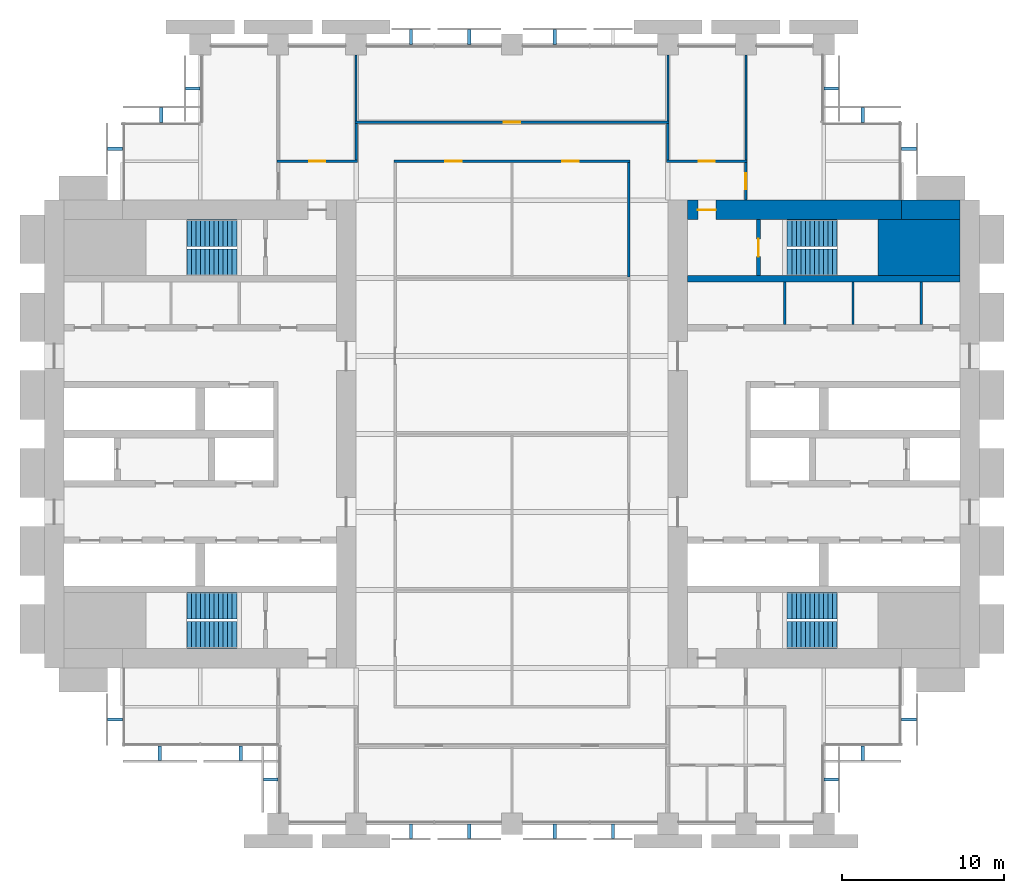
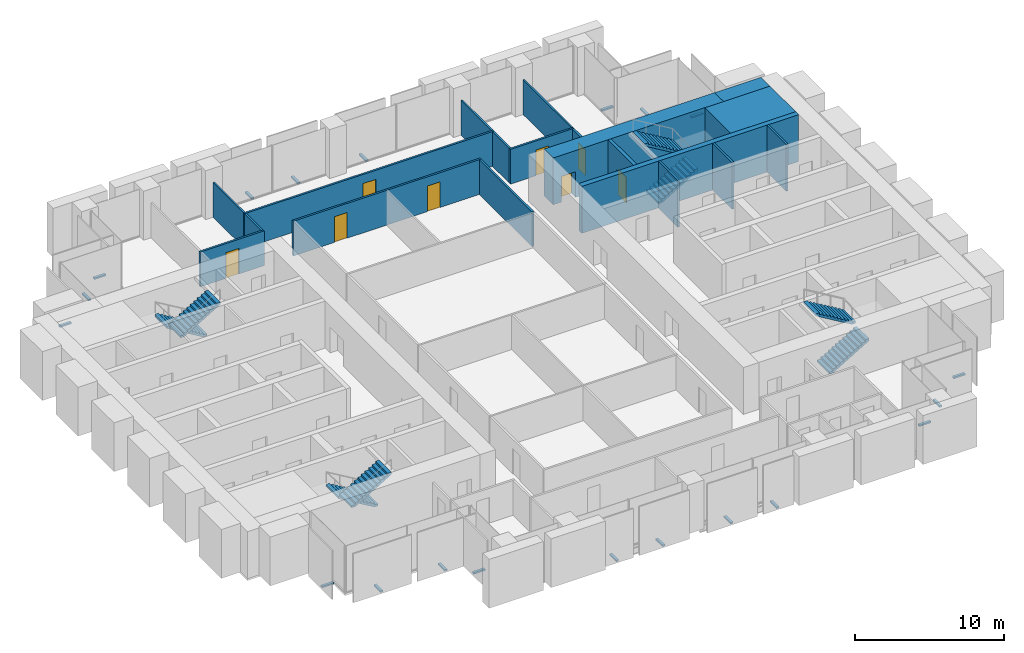
# One storey, part 12 of 14: 20 discrete accessories, 19 walls, 8 doors, 8 stair flights, 8 openings, 4 elements without a shape of their own.
"""IFC4 building model written with IfcOpenShell, lengths in metres."""

from ifc_helpers import new_model, si_unit, direction, frame, frame_2d, origin, origin_2d, place, context, subcontext, project, spatial, polyline, rectangle, outline, extrude, material, layer, layer_set, type_object, element, fill, aggregate, save


model = new_model("IFC4")

# Units and contexts
model_context = context("Model", 3, precision=1e-05, world=origin(), true_north=direction((0.0, 1.0)))
body_context = subcontext(model_context, "Body", "Model", "MODEL_VIEW")
ifc_project = project(units=[si_unit("LENGTHUNIT", "METRE"), si_unit("AREAUNIT", "SQUARE_METRE"), si_unit("VOLUMEUNIT", "CUBIC_METRE"), si_unit("PLANEANGLEUNIT", "RADIAN"), si_unit("MASSUNIT", "GRAM", prefix="KILO")], contexts=[model_context])

# Site, building, storey
site_placement = place(None, origin())
site = spatial("IfcSite", under=ifc_project, at=site_placement, CompositionType="ELEMENT")
building_placement = place(site_placement, origin())
building = spatial("IfcBuilding", under=site, at=building_placement, Name="Baori Bourse Tower", CompositionType="ELEMENT")
storey_placement = place(building_placement, frame((0.0, 0.0, 43.0)))
storey = spatial("IfcBuildingStorey", under=building, at=storey_placement, Name="L08", CompositionType="ELEMENT", Elevation=43.0)

# Walls
ifc_material_1 = material(Name="Concrete f'c 70 MPa", Category="concrete")
wall_type_1 = type_object("IfcWallType", Name="Core corner block f'c 70", PredefinedType="SHEAR", material=ifc_material_1)
wall_1_placement = place(storey_placement, frame((51.35009765625, 35.47509765625, 0.0), z_axis=(0.0, 0.0, 1.0), x_axis=(1.0, 0.0, 0.0)))
element("IfcWall", 1, at=wall_1_placement, inside=storey, type_object=wall_type_1, Name="Core wall E22", PredefinedType="SHEAR", context=body_context, shape_type="SweptSolid", body=[
    extrude(rectangle(XDim=5.0498046875, YDim=3.449951171875, at=frame_2d((2.52490234375, 0.0))), origin(), (0.0, 0.0, 1.0), 3.840087890625),
])
ifc_material_2 = material(Name="Blockwork partition", Category="masonry")
ifc_layer_1 = layer(ifc_material_2, 0.14990234375)
ifc_layer_set_1 = layer_set([ifc_layer_1], Name="Core partition 150")
wall_type_2 = type_object("IfcWallType", Name="Core partition 150", PredefinedType="PARTITIONING", material=ifc_layer_set_1)
for number, where, z_axis, x_axis, name in (
    (2, (54.0, 30.75, 0.0), (0.0, 0.0, 1.0), (0.0, 1.0, 0.0), "Partition wall E18"),
    (3, (49.800048828125, 30.75, 0.0), (0.0, 0.0, 1.0), (0.0, 1.0, 0.0), "Partition wall E19"),
    (4, (45.60009765625, 30.75, 0.0), (0.0, 0.0, 1.0), (0.0, 1.0, 0.0), "Partition wall E20"),
):
    element("IfcWall", number, at=place(storey_placement, frame(where, z_axis=z_axis, x_axis=x_axis)), inside=storey, type_object=wall_type_2, Name=name, PredefinedType="PARTITIONING", context=body_context, shape_type="SweptSolid", body=[
        extrude(rectangle(XDim=2.60009765625, YDim=0.14990234375, at=frame_2d((1.300048828125, 0.0))), origin(), (0.0, 0.0, 1.0), 3.840087890625),
    ])
ifc_material_3 = material(Name="Concrete f'c 70 MPa", Category="concrete")
ifc_layer_2 = layer(ifc_material_3, 1.199951171875)
ifc_layer_set_2 = layer_set([ifc_layer_2], Name="Core wall 1200 f'c 70")
wall_type_3 = type_object("IfcWallType", Name="Core wall 1200 f'c 70", PredefinedType="SHEAR", material=ifc_layer_set_2)
wall_2_placement = place(storey_placement, frame((52.800048828125, 37.800048828125, 0.0), z_axis=(0.0, 0.0, 1.0), x_axis=(1.0, 0.0, 0.0)))
element("IfcWall", 5, at=wall_2_placement, inside=storey, type_object=wall_type_3, Name="Core wall E24", PredefinedType="SHEAR", context=body_context, shape_type="SweptSolid", body=[
    extrude(rectangle(XDim=3.599853515625, YDim=1.199951171875, at=frame_2d((1.7998046875, 0.0))), origin(), (0.0, 0.0, 1.0), 3.840087890625),
])

# Wall, opening, door
wall_3_placement = place(storey_placement, frame((39.60009765625, 37.800048828125, 0.0), z_axis=(0.0, 0.0, 1.0), x_axis=(1.0, 0.0, 0.0)))
wall_3 = element("IfcWall", 6, at=wall_3_placement, inside=storey, type_object=wall_type_3, Name="Core wall E25", PredefinedType="SHEAR", context=body_context, shape_type="SweptSolid", body=[
    extrude(rectangle(XDim=13.199951171875, YDim=1.199951171875, at=frame_2d((6.60009765625, 0.0))), origin(), (0.0, 0.0, 1.0), 3.840087890625),
])
opening_1_placement = place(wall_3_placement, frame((0.64990234375, 0.0, 0.0)))
opening_1 = element("IfcOpeningElement", 7, at=opening_1_placement, cuts=wall_3, Name="Opening L08-D204", PredefinedType="OPENING", context=body_context, shape_type="SweptSolid", body=[
    extrude(rectangle(XDim=1.10009765625, YDim=2.10009765625, at=frame_2d((0.550048828125, 1.050048828125))), frame((0.0, 0.60986328125, 0.0), z_axis=(0.0, -1.0, 0.0), x_axis=(1.0, 0.0, 0.0)), (0.0, 0.0, 1.0), 1.219970703125),
])
ifc_material_4 = material(Name="Painted steel door", Category="steel")
door_type_1 = type_object("IfcDoorType", Name="Stair door 1100", OperationType="SINGLE_SWING_LEFT", PredefinedType="DOOR", material=ifc_material_4)
door_1_placement = place(opening_1_placement, origin())
door_1 = element("IfcDoor", 8, at=door_1_placement, inside=storey, type_object=door_type_1, Name="Stair vestibule door B E L08", OperationType="SINGLE_SWING_LEFT", OverallHeight=2.10009765625, OverallWidth=1.10009765625, PredefinedType="DOOR", context=body_context, shape_type="SweptSolid", body=[
    extrude(rectangle(XDim=1.10009765625, YDim=2.10009765625, at=frame_2d((0.550048828125, 1.050048828125))), frame((0.0, 0.02490234375, 0.0), z_axis=(0.0, -1.0, 0.0), x_axis=(1.0, 0.0, 0.0)), (0.0, 0.0, 1.0), 0.050048828125),
])
fill(opening_1, door_1)

ifc_material_5 = material(Name="Gypsum board partition")
ifc_layer_3 = layer(ifc_material_5, 0.14990234375)
ifc_layer_set_3 = layer_set([ifc_layer_3], Name="Corridor partition 150")
wall_type_4 = type_object("IfcWallType", Name="Corridor partition 150", PredefinedType="PARTITIONING", material=ifc_layer_set_3)
wall_4_placement = place(storey_placement, frame((14.324951171875, 40.800048828125, 0.0), z_axis=(0.0, 0.0, 1.0), x_axis=(1.0, 0.0, 0.0)))
wall_4 = element("IfcWall", 9, at=wall_4_placement, inside=storey, type_object=wall_type_4, Name="Partition", PredefinedType="PARTITIONING", context=body_context, shape_type="SweptSolid", body=[
    extrude(rectangle(XDim=4.949951171875, YDim=0.14990234375, at=frame_2d((2.47509765625, 0.0))), origin(), (0.0, 0.0, 1.0), 2.849365234375),
])
opening_2_placement = place(wall_4_placement, frame((1.97509765625, 0.0, 0.0)))
opening_2 = element("IfcOpeningElement", 10, at=opening_2_placement, cuts=wall_4, Name="Opening L08-D08", PredefinedType="OPENING", context=body_context, shape_type="SweptSolid", body=[
    extrude(rectangle(XDim=1.0, YDim=2.10009765625, at=frame_2d((0.5, 1.050048828125))), frame((0.0, 0.0849609375, 0.0), z_axis=(0.0, -1.0, 0.0), x_axis=(1.0, 0.0, 0.0)), (0.0, 0.0, 1.0), 0.169921875),
])
ifc_material_6 = material(Name="Timber door leaf", Category="wood")
door_type_2 = type_object("IfcDoorType", Name="Door 1000 x 2100", OperationType="SINGLE_SWING_LEFT", PredefinedType="DOOR", material=ifc_material_6)
door_2_placement = place(opening_2_placement, origin())
door_2 = element("IfcDoor", 11, at=door_2_placement, inside=storey, type_object=door_type_2, Name="Door", OperationType="SINGLE_SWING_LEFT", OverallHeight=2.10009765625, OverallWidth=1.0, PredefinedType="DOOR", context=body_context, shape_type="SweptSolid", body=[
    extrude(rectangle(XDim=1.0, YDim=2.10009765625, at=frame_2d((0.5, 1.050048828125))), frame((0.0, 0.02490234375, 0.0), z_axis=(0.0, -1.0, 0.0), x_axis=(1.0, 0.0, 0.0)), (0.0, 0.0, 1.0), 0.050048828125),
])
fill(opening_2, door_2)

# Wall, openings, doors
wall_5_placement = place(storey_placement, frame((21.52490234375, 40.800048828125, 0.0), z_axis=(0.0, 0.0, 1.0), x_axis=(1.0, 0.0, 0.0)))
wall_5 = element("IfcWall", 12, at=wall_5_placement, inside=storey, type_object=wall_type_4, Name="Partition", PredefinedType="PARTITIONING", context=body_context, shape_type="SweptSolid", body=[
    extrude(rectangle(XDim=14.550048828125, YDim=0.14990234375, at=frame_2d((7.27490234375, 0.0))), origin(), (0.0, 0.0, 1.0), 2.849365234375),
])
opening_3_placement = place(wall_5_placement, frame((3.175048828125, 0.0, 0.0)))
opening_3 = element("IfcOpeningElement", 13, at=opening_3_placement, cuts=wall_5, Name="Opening L08-D09", PredefinedType="OPENING", context=body_context, shape_type="SweptSolid", body=[
    extrude(rectangle(XDim=1.0, YDim=2.10009765625, at=frame_2d((0.5, 1.050048828125))), frame((0.0, 0.0849609375, 0.0), z_axis=(0.0, -1.0, 0.0), x_axis=(1.0, 0.0, 0.0)), (0.0, 0.0, 1.0), 0.169921875),
])
opening_4_placement = place(wall_5_placement, frame((10.375, 0.0, 0.0)))
opening_4 = element("IfcOpeningElement", 14, at=opening_4_placement, cuts=wall_5, Name="Opening L08-D10", PredefinedType="OPENING", context=body_context, shape_type="SweptSolid", body=[
    extrude(rectangle(XDim=1.0, YDim=2.10009765625, at=frame_2d((0.5, 1.050048828125))), frame((0.0, 0.0849609375, 0.0), z_axis=(0.0, -1.0, 0.0), x_axis=(1.0, 0.0, 0.0)), (0.0, 0.0, 1.0), 0.169921875),
])
door_3_placement = place(opening_3_placement, origin())
door_3 = element("IfcDoor", 15, at=door_3_placement, inside=storey, type_object=door_type_2, Name="Door", OperationType="SINGLE_SWING_LEFT", OverallHeight=2.10009765625, OverallWidth=1.0, PredefinedType="DOOR", context=body_context, shape_type="SweptSolid", body=[
    extrude(rectangle(XDim=1.0, YDim=2.10009765625, at=frame_2d((0.5, 1.050048828125))), frame((0.0, 0.02490234375, 0.0), z_axis=(0.0, -1.0, 0.0), x_axis=(1.0, 0.0, 0.0)), (0.0, 0.0, 1.0), 0.050048828125),
])
fill(opening_3, door_3)
door_4_placement = place(opening_4_placement, origin())
door_4 = element("IfcDoor", 16, at=door_4_placement, inside=storey, type_object=door_type_2, Name="Door", OperationType="SINGLE_SWING_RIGHT", OverallHeight=2.10009765625, OverallWidth=1.0, PredefinedType="DOOR", context=body_context, shape_type="SweptSolid", body=[
    extrude(rectangle(XDim=1.0, YDim=2.10009765625, at=frame_2d((0.5, 1.050048828125))), frame((0.0, 0.02490234375, 0.0), z_axis=(0.0, -1.0, 0.0), x_axis=(1.0, 0.0, 0.0)), (0.0, 0.0, 1.0), 0.050048828125),
])
fill(opening_4, door_4)

# Wall, opening, door
wall_6_placement = place(storey_placement, frame((38.324951171875, 40.800048828125, 0.0), z_axis=(0.0, 0.0, 1.0), x_axis=(1.0, 0.0, 0.0)))
wall_6 = element("IfcWall", 17, at=wall_6_placement, inside=storey, type_object=wall_type_4, Name="Partition", PredefinedType="PARTITIONING", context=body_context, shape_type="SweptSolid", body=[
    extrude(rectangle(XDim=4.949951171875, YDim=0.14990234375, at=frame_2d((2.47509765625, 0.0))), origin(), (0.0, 0.0, 1.0), 2.849365234375),
])
opening_5_placement = place(wall_6_placement, frame((1.97509765625, 0.0, 0.0)))
opening_5 = element("IfcOpeningElement", 18, at=opening_5_placement, cuts=wall_6, Name="Opening L08-D11", PredefinedType="OPENING", context=body_context, shape_type="SweptSolid", body=[
    extrude(rectangle(XDim=1.0, YDim=2.10009765625, at=frame_2d((0.5, 1.050048828125))), frame((0.0, 0.0849609375, 0.0), z_axis=(0.0, -1.0, 0.0), x_axis=(1.0, 0.0, 0.0)), (0.0, 0.0, 1.0), 0.169921875),
])
door_5_placement = place(opening_5_placement, origin())
door_5 = element("IfcDoor", 19, at=door_5_placement, inside=storey, type_object=door_type_2, Name="Door", OperationType="SINGLE_SWING_RIGHT", OverallHeight=2.10009765625, OverallWidth=1.0, PredefinedType="DOOR", context=body_context, shape_type="SweptSolid", body=[
    extrude(rectangle(XDim=1.0, YDim=2.10009765625, at=frame_2d((0.5, 1.050048828125))), frame((0.0, 0.02490234375, 0.0), z_axis=(0.0, -1.0, 0.0), x_axis=(1.0, 0.0, 0.0)), (0.0, 0.0, 1.0), 0.050048828125),
])
fill(opening_5, door_5)

wall_7_placement = place(storey_placement, frame((19.125, 43.199951171875, 0.0), z_axis=(0.0, 0.0, 1.0), x_axis=(1.0, 0.0, 0.0)))
wall_7 = element("IfcWall", 20, at=wall_7_placement, inside=storey, type_object=wall_type_4, Name="Partition", PredefinedType="PARTITIONING", context=body_context, shape_type="SweptSolid", body=[
    extrude(rectangle(XDim=19.35009765625, YDim=0.14990234375, at=frame_2d((9.675048828125, 0.0))), origin(), (0.0, 0.0, 1.0), 2.849365234375),
])
opening_6_placement = place(wall_7_placement, frame((9.175048828125, 0.0, 0.0)))
opening_6 = element("IfcOpeningElement", 21, at=opening_6_placement, cuts=wall_7, Name="Opening L08-D12", PredefinedType="OPENING", context=body_context, shape_type="SweptSolid", body=[
    extrude(rectangle(XDim=1.0, YDim=2.10009765625, at=frame_2d((0.5, 1.050048828125))), frame((0.0, 0.0849609375, 0.0), z_axis=(0.0, -1.0, 0.0), x_axis=(1.0, 0.0, 0.0)), (0.0, 0.0, 1.0), 0.169921875),
])
door_6_placement = place(opening_6_placement, origin())
door_6 = element("IfcDoor", 22, at=door_6_placement, inside=storey, type_object=door_type_2, Name="Door", OperationType="SINGLE_SWING_RIGHT", OverallHeight=2.10009765625, OverallWidth=1.0, PredefinedType="DOOR", context=body_context, shape_type="SweptSolid", body=[
    extrude(rectangle(XDim=1.0, YDim=2.10009765625, at=frame_2d((0.5, 1.050048828125))), frame((0.0, 0.02490234375, 0.0), z_axis=(0.0, -1.0, 0.0), x_axis=(1.0, 0.0, 0.0)), (0.0, 0.0, 1.0), 0.050048828125),
])
fill(opening_6, door_6)

# Walls
wall_8_placement = place(storey_placement, frame((19.199951171875, 40.875, 0.0), z_axis=(0.0, 0.0, 1.0), x_axis=(0.0, 1.0, 0.0)))
element("IfcWall", 23, at=wall_8_placement, inside=storey, type_object=wall_type_4, Name="Partition", PredefinedType="PARTITIONING", context=body_context, shape_type="SweptSolid", body=[
    extrude(rectangle(XDim=2.25, YDim=0.14990234375, at=frame_2d((1.125, 0.0))), origin(), (0.0, 0.0, 1.0), 2.849365234375),
])
wall_9_placement = place(storey_placement, frame((36.0, 33.66259765625, 0.0), z_axis=(0.0, 0.0, 1.0), x_axis=(0.0, 1.0, 0.0)))
element("IfcWall", 24, at=wall_9_placement, inside=storey, type_object=wall_type_4, Name="Partition", PredefinedType="PARTITIONING", context=body_context, shape_type="SweptSolid", body=[
    extrude(rectangle(XDim=7.0625, YDim=0.14990234375, at=frame_2d((3.53125, 0.0))), origin(), (0.0, 0.0, 1.0), 2.849365234375),
])
wall_10_placement = place(storey_placement, frame((38.39990234375, 40.875, 0.0), z_axis=(0.0, 0.0, 1.0), x_axis=(0.0, 1.0, 0.0)))
element("IfcWall", 25, at=wall_10_placement, inside=storey, type_object=wall_type_4, Name="Partition", PredefinedType="PARTITIONING", context=body_context, shape_type="SweptSolid", body=[
    extrude(rectangle(XDim=2.25, YDim=0.14990234375, at=frame_2d((1.125, 0.0))), origin(), (0.0, 0.0, 1.0), 2.849365234375),
])

# Wall, opening, door
wall_11_placement = place(storey_placement, frame((43.199951171875, 38.39990234375, 0.0), z_axis=(0.0, 0.0, 1.0), x_axis=(0.0, 1.0, 0.0)))
wall_11 = element("IfcWall", 26, at=wall_11_placement, inside=storey, type_object=wall_type_4, Name="Partition", PredefinedType="PARTITIONING", context=body_context, shape_type="SweptSolid", body=[
    extrude(rectangle(XDim=2.3251953125, YDim=0.14990234375, at=frame_2d((1.16259765625, 0.0))), origin(), (0.0, 0.0, 1.0), 2.849365234375),
])
opening_7_placement = place(wall_11_placement, frame((0.66259765625, 0.0, 0.0)))
opening_7 = element("IfcOpeningElement", 27, at=opening_7_placement, cuts=wall_11, Name="Opening L08-D21", PredefinedType="OPENING", context=body_context, shape_type="SweptSolid", body=[
    extrude(rectangle(XDim=1.0, YDim=2.10009765625, at=frame_2d((0.5, 1.050048828125))), frame((0.0, 0.0849609375, 0.0), z_axis=(0.0, -1.0, 0.0), x_axis=(1.0, 0.0, 0.0)), (0.0, 0.0, 1.0), 0.169921875),
])
door_7_placement = place(opening_7_placement, origin())
door_7 = element("IfcDoor", 28, at=door_7_placement, inside=storey, type_object=door_type_2, Name="Door", OperationType="SINGLE_SWING_LEFT", OverallHeight=2.10009765625, OverallWidth=1.0, PredefinedType="DOOR", context=body_context, shape_type="SweptSolid", body=[
    extrude(rectangle(XDim=1.0, YDim=2.10009765625, at=frame_2d((0.5, 1.050048828125))), frame((0.0, 0.02490234375, 0.0), z_axis=(0.0, -1.0, 0.0), x_axis=(1.0, 0.0, 0.0)), (0.0, 0.0, 1.0), 0.050048828125),
])
fill(opening_7, door_7)

# Walls
ifc_material_7 = material(Name="Gypsum board partition")
ifc_layer_4 = layer(ifc_material_7, 0.125)
ifc_layer_set_4 = layer_set([ifc_layer_4], Name="Partition 125")
wall_type_5 = type_object("IfcWallType", Name="Partition 125", PredefinedType="PARTITIONING", material=ifc_layer_set_4)
for number, where, z_axis, x_axis, name in (
    (29, (19.199951171875, 43.27490234375, 0.0), (0.0, 0.0, 1.0), (0.0, 1.0, 0.0), "Partition"),
    (30, (38.39990234375, 43.27490234375, 0.0), (0.0, 0.0, 1.0), (0.0, 1.0, 0.0), "Partition"),
):
    element("IfcWall", number, at=place(storey_placement, frame(where, z_axis=z_axis, x_axis=x_axis)), inside=storey, type_object=wall_type_5, Name=name, PredefinedType="PARTITIONING", context=body_context, shape_type="SweptSolid", body=[
        extrude(rectangle(XDim=4.0751953125, YDim=0.125, at=frame_2d((2.03759765625, 0.0))), origin(), (0.0, 0.0, 1.0), 2.849365234375),
    ])
wall_12_placement = place(storey_placement, frame((43.199951171875, 40.875, 0.0), z_axis=(0.0, 0.0, 1.0), x_axis=(0.0, 1.0, 0.0)))
element("IfcWall", 31, at=wall_12_placement, inside=storey, type_object=wall_type_5, Name="Partition", PredefinedType="PARTITIONING", context=body_context, shape_type="SweptSolid", body=[
    extrude(rectangle(XDim=6.47509765625, YDim=0.125, at=frame_2d((3.237548828125, 0.0))), origin(), (0.0, 0.0, 1.0), 2.849365234375),
])

# Wall, opening, door
ifc_material_8 = material(Name="Concrete f'c 70 MPa", Category="concrete")
ifc_layer_5 = layer(ifc_material_8, 0.25)
ifc_layer_set_5 = layer_set([ifc_layer_5], Name="Shaft wall 250 f'c 70")
wall_type_6 = type_object("IfcWallType", Name="Shaft wall 250 f'c 70", PredefinedType="SHEAR", material=ifc_layer_set_5)
wall_13_placement = place(storey_placement, frame((43.97509765625, 33.75, 0.0), z_axis=(0.0, 0.0, 1.0), x_axis=(0.0, 1.0, 0.0)))
wall_13 = element("IfcWall", 32, at=wall_13_placement, inside=storey, type_object=wall_type_6, Name="Core wall E23", PredefinedType="SHEAR", context=body_context, shape_type="SweptSolid", body=[
    extrude(rectangle(XDim=3.449951171875, YDim=0.25, at=frame_2d((1.72509765625, 0.0))), origin(), (0.0, 0.0, 1.0), 3.840087890625),
])
opening_8_placement = place(wall_13_placement, frame((1.175048828125, 0.0, 0.0)))
opening_8 = element("IfcOpeningElement", 33, at=opening_8_placement, cuts=wall_13, Name="Opening L08-D203", PredefinedType="OPENING", context=body_context, shape_type="SweptSolid", body=[
    extrude(rectangle(XDim=1.10009765625, YDim=2.10009765625, at=frame_2d((0.550048828125, 1.050048828125))), frame((0.0, 0.135009765625, 0.0), z_axis=(0.0, -1.0, 0.0), x_axis=(1.0, 0.0, 0.0)), (0.0, 0.0, 1.0), 0.27001953125),
])
door_8_placement = place(opening_8_placement, origin())
door_8 = element("IfcDoor", 34, at=door_8_placement, inside=storey, type_object=door_type_1, Name="Stair door B E L08", OperationType="SINGLE_SWING_LEFT", OverallHeight=2.10009765625, OverallWidth=1.10009765625, PredefinedType="DOOR", context=body_context, shape_type="SweptSolid", body=[
    extrude(rectangle(XDim=1.10009765625, YDim=2.10009765625, at=frame_2d((0.550048828125, 1.050048828125))), frame((0.0, 0.02490234375, 0.0), z_axis=(0.0, -1.0, 0.0), x_axis=(1.0, 0.0, 0.0)), (0.0, 0.0, 1.0), 0.050048828125),
])
fill(opening_8, door_8)

# Wall
ifc_material_9 = material(Name="Concrete f'c 70 MPa", Category="concrete")
ifc_layer_6 = layer(ifc_material_9, 0.39990234375)
ifc_layer_set_6 = layer_set([ifc_layer_6], Name="Shaft wall 400 f'c 70")
wall_type_7 = type_object("IfcWallType", Name="Shaft wall 400 f'c 70", PredefinedType="SHEAR", material=ifc_layer_set_6)
wall_14_placement = place(storey_placement, frame((39.60009765625, 33.550048828125, 0.0), z_axis=(0.0, 0.0, 1.0), x_axis=(1.0, 0.0, 0.0)))
element("IfcWall", 35, at=wall_14_placement, inside=storey, type_object=wall_type_7, Name="Core wall E21", PredefinedType="SHEAR", context=body_context, shape_type="SweptSolid", body=[
    extrude(rectangle(XDim=16.7998046875, YDim=0.39990234375, at=frame_2d((8.39990234375, 0.0))), origin(), (0.0, 0.0, 1.0), 3.840087890625),
])

# Stair, stair flights
ifc_material_10 = material(Name="Concrete f'c 50 MPa", Category="concrete")
stair_type = type_object("IfcStairType", Name="Core stair", PredefinedType="HALF_TURN_STAIR", material=ifc_material_10)
stair_1_placement = place(storey_placement, origin())
stair_1 = element("IfcStair", 36, at=stair_1_placement, inside=storey, type_object=stair_type, Name="L08 Stair WA", PredefinedType="HALF_TURN_STAIR")
ifc_material_11 = material(Name="Concrete f'c 50 MPa", Category="concrete")
stair_flight_type = type_object("IfcStairFlightType", Name="Core stair flight", PredefinedType="STRAIGHT", material=ifc_material_11)
stair_flight_1_placement = place(storey_placement, frame((11.85009765625, 13.425048828125, 0.0), z_axis=(0.0, 0.0, 1.0), x_axis=(-1.0, 0.0, 0.0)))
stair_flight_1 = element("IfcStairFlight", 37, at=stair_flight_1_placement, type_object=stair_flight_type, Name="ST1 flight 1", NumberOfRisers=12, NumberOfTreads=11, PredefinedType="STRAIGHT", RiserHeight=0.166666667, TreadLength=0.28, context=body_context, shape_type="SweptSolid", body=[
    extrude(outline(polyline([(0.0, 0.0), (0.0, 0.166748046875), (0.280029296875, 0.166748046875), (0.280029296875, 0.333251953125), (0.56005859375, 0.333251953125), (0.56005859375, 0.5), (0.840087890625, 0.5), (0.840087890625, 0.666748046875), (1.1201171875, 0.666748046875), (1.1201171875, 0.833251953125), (1.39990234375, 0.833251953125), (1.39990234375, 1.0), (1.679931640625, 1.0), (1.679931640625, 1.166748046875), (1.9599609375, 1.166748046875), (1.9599609375, 1.333251953125), (2.239990234375, 1.333251953125), (2.239990234375, 1.5), (2.52001953125, 1.5), (2.52001953125, 1.666748046875), (2.800048828125, 1.666748046875), (2.800048828125, 1.833251953125), (3.080078125, 1.833251953125), (3.080078125, 2.0), (3.080078125, 1.658935546875), (0.29296875, 0.0), (0.0, 0.0)])), frame((0.0, 0.824951171875, 0.0), z_axis=(0.0, -1.0, 0.0), x_axis=(1.0, 0.0, 0.0)), (0.0, 0.0, 1.0), 1.64990234375),
])
stair_flight_2_placement = place(storey_placement, frame((8.77001953125, 11.625, 2.0), z_axis=(0.0, 0.0, 1.0), x_axis=(1.0, 0.0, 0.0)))
stair_flight_2 = element("IfcStairFlight", 38, at=stair_flight_2_placement, type_object=stair_flight_type, Name="ST1 flight 2", NumberOfRisers=12, NumberOfTreads=11, PredefinedType="STRAIGHT", RiserHeight=0.166666667, TreadLength=0.28, context=body_context, shape_type="SweptSolid", body=[
    extrude(outline(polyline([(0.0, 0.0), (0.0, 0.166748046875), (0.280029296875, 0.166748046875), (0.280029296875, 0.333251953125), (0.56005859375, 0.333251953125), (0.56005859375, 0.5), (0.840087890625, 0.5), (0.840087890625, 0.666748046875), (1.1201171875, 0.666748046875), (1.1201171875, 0.833251953125), (1.39990234375, 0.833251953125), (1.39990234375, 1.0), (1.679931640625, 1.0), (1.679931640625, 1.166748046875), (1.9599609375, 1.166748046875), (1.9599609375, 1.333251953125), (2.239990234375, 1.333251953125), (2.239990234375, 1.5), (2.52001953125, 1.5), (2.52001953125, 1.666748046875), (2.800048828125, 1.666748046875), (2.800048828125, 1.833251953125), (3.080078125, 1.833251953125), (3.080078125, 2.0), (3.080078125, 1.658935546875), (0.29296875, 0.0), (0.0, 0.0)])), frame((0.0, 0.824951171875, 0.0), z_axis=(0.0, -1.0, 0.0), x_axis=(1.0, 0.0, 0.0)), (0.0, 0.0, 1.0), 1.64990234375),
])
aggregate(stair_1, [stair_flight_1, stair_flight_2])

stair_2_placement = place(storey_placement, origin())
stair_2 = element("IfcStair", 39, at=stair_2_placement, inside=storey, type_object=stair_type, Name="L08 Stair WB", PredefinedType="HALF_TURN_STAIR")
stair_flight_3_placement = place(storey_placement, frame((11.85009765625, 36.375, 0.0), z_axis=(0.0, 0.0, 1.0), x_axis=(-1.0, 0.0, 0.0)))
stair_flight_3 = element("IfcStairFlight", 40, at=stair_flight_3_placement, type_object=stair_flight_type, Name="ST2 flight 1", NumberOfRisers=12, NumberOfTreads=11, PredefinedType="STRAIGHT", RiserHeight=0.166666667, TreadLength=0.28, context=body_context, shape_type="SweptSolid", body=[
    extrude(outline(polyline([(0.0, 0.0), (0.0, 0.166748046875), (0.280029296875, 0.166748046875), (0.280029296875, 0.333251953125), (0.56005859375, 0.333251953125), (0.56005859375, 0.5), (0.840087890625, 0.5), (0.840087890625, 0.666748046875), (1.1201171875, 0.666748046875), (1.1201171875, 0.833251953125), (1.39990234375, 0.833251953125), (1.39990234375, 1.0), (1.679931640625, 1.0), (1.679931640625, 1.166748046875), (1.9599609375, 1.166748046875), (1.9599609375, 1.333251953125), (2.239990234375, 1.333251953125), (2.239990234375, 1.5), (2.52001953125, 1.5), (2.52001953125, 1.666748046875), (2.800048828125, 1.666748046875), (2.800048828125, 1.833251953125), (3.080078125, 1.833251953125), (3.080078125, 2.0), (3.080078125, 1.658935546875), (0.29296875, 0.0), (0.0, 0.0)])), frame((0.0, 0.824951171875, 0.0), z_axis=(0.0, -1.0, 0.0), x_axis=(1.0, 0.0, 0.0)), (0.0, 0.0, 1.0), 1.64990234375),
])
stair_flight_4_placement = place(storey_placement, frame((8.77001953125, 34.574951171875, 2.0), z_axis=(0.0, 0.0, 1.0), x_axis=(1.0, 0.0, 0.0)))
stair_flight_4 = element("IfcStairFlight", 41, at=stair_flight_4_placement, type_object=stair_flight_type, Name="ST2 flight 2", NumberOfRisers=12, NumberOfTreads=11, PredefinedType="STRAIGHT", RiserHeight=0.166666667, TreadLength=0.28, context=body_context, shape_type="SweptSolid", body=[
    extrude(outline(polyline([(0.0, 0.0), (0.0, 0.166748046875), (0.280029296875, 0.166748046875), (0.280029296875, 0.333251953125), (0.56005859375, 0.333251953125), (0.56005859375, 0.5), (0.840087890625, 0.5), (0.840087890625, 0.666748046875), (1.1201171875, 0.666748046875), (1.1201171875, 0.833251953125), (1.39990234375, 0.833251953125), (1.39990234375, 1.0), (1.679931640625, 1.0), (1.679931640625, 1.166748046875), (1.9599609375, 1.166748046875), (1.9599609375, 1.333251953125), (2.239990234375, 1.333251953125), (2.239990234375, 1.5), (2.52001953125, 1.5), (2.52001953125, 1.666748046875), (2.800048828125, 1.666748046875), (2.800048828125, 1.833251953125), (3.080078125, 1.833251953125), (3.080078125, 2.0), (3.080078125, 1.658935546875), (0.29296875, 0.0), (0.0, 0.0)])), frame((0.0, 0.824951171875, 0.0), z_axis=(0.0, -1.0, 0.0), x_axis=(1.0, 0.0, 0.0)), (0.0, 0.0, 1.0), 1.64990234375),
])
aggregate(stair_2, [stair_flight_3, stair_flight_4])

stair_3_placement = place(storey_placement, origin())
stair_3 = element("IfcStair", 42, at=stair_3_placement, inside=storey, type_object=stair_type, Name="L08 Stair EA", PredefinedType="HALF_TURN_STAIR")
stair_flight_5_placement = place(storey_placement, frame((45.75, 11.625, 0.0), z_axis=(0.0, 0.0, 1.0), x_axis=(1.0, 0.0, 0.0)))
stair_flight_5 = element("IfcStairFlight", 43, at=stair_flight_5_placement, type_object=stair_flight_type, Name="ST3 flight 1", NumberOfRisers=12, NumberOfTreads=11, PredefinedType="STRAIGHT", RiserHeight=0.166666667, TreadLength=0.28, context=body_context, shape_type="SweptSolid", body=[
    extrude(outline(polyline([(0.0, 0.0), (0.0, 0.166748046875), (0.280029296875, 0.166748046875), (0.280029296875, 0.333251953125), (0.56005859375, 0.333251953125), (0.56005859375, 0.5), (0.840087890625, 0.5), (0.840087890625, 0.666748046875), (1.1201171875, 0.666748046875), (1.1201171875, 0.833251953125), (1.39990234375, 0.833251953125), (1.39990234375, 1.0), (1.679931640625, 1.0), (1.679931640625, 1.166748046875), (1.9599609375, 1.166748046875), (1.9599609375, 1.333251953125), (2.239990234375, 1.333251953125), (2.239990234375, 1.5), (2.52001953125, 1.5), (2.52001953125, 1.666748046875), (2.800048828125, 1.666748046875), (2.800048828125, 1.833251953125), (3.080078125, 1.833251953125), (3.080078125, 2.0), (3.080078125, 1.658935546875), (0.29296875, 0.0), (0.0, 0.0)])), frame((0.0, 0.824951171875, 0.0), z_axis=(0.0, -1.0, 0.0), x_axis=(1.0, 0.0, 0.0)), (0.0, 0.0, 1.0), 1.64990234375),
])
stair_flight_6_placement = place(storey_placement, frame((48.830078125, 13.425048828125, 2.0), z_axis=(0.0, 0.0, 1.0), x_axis=(-1.0, 0.0, 0.0)))
stair_flight_6 = element("IfcStairFlight", 44, at=stair_flight_6_placement, type_object=stair_flight_type, Name="ST3 flight 2", NumberOfRisers=12, NumberOfTreads=11, PredefinedType="STRAIGHT", RiserHeight=0.166666667, TreadLength=0.28, context=body_context, shape_type="SweptSolid", body=[
    extrude(outline(polyline([(0.0, 0.0), (0.0, 0.166748046875), (0.280029296875, 0.166748046875), (0.280029296875, 0.333251953125), (0.56005859375, 0.333251953125), (0.56005859375, 0.5), (0.840087890625, 0.5), (0.840087890625, 0.666748046875), (1.1201171875, 0.666748046875), (1.1201171875, 0.833251953125), (1.39990234375, 0.833251953125), (1.39990234375, 1.0), (1.679931640625, 1.0), (1.679931640625, 1.166748046875), (1.9599609375, 1.166748046875), (1.9599609375, 1.333251953125), (2.239990234375, 1.333251953125), (2.239990234375, 1.5), (2.52001953125, 1.5), (2.52001953125, 1.666748046875), (2.800048828125, 1.666748046875), (2.800048828125, 1.833251953125), (3.080078125, 1.833251953125), (3.080078125, 2.0), (3.080078125, 1.658935546875), (0.29296875, 0.0), (0.0, 0.0)])), frame((0.0, 0.824951171875, 0.0), z_axis=(0.0, -1.0, 0.0), x_axis=(1.0, 0.0, 0.0)), (0.0, 0.0, 1.0), 1.64990234375),
])
aggregate(stair_3, [stair_flight_5, stair_flight_6])

stair_4_placement = place(storey_placement, origin())
stair_4 = element("IfcStair", 45, at=stair_4_placement, inside=storey, type_object=stair_type, Name="L08 Stair EB", PredefinedType="HALF_TURN_STAIR")
stair_flight_7_placement = place(storey_placement, frame((45.75, 34.574951171875, 0.0), z_axis=(0.0, 0.0, 1.0), x_axis=(1.0, 0.0, 0.0)))
stair_flight_7 = element("IfcStairFlight", 46, at=stair_flight_7_placement, type_object=stair_flight_type, Name="ST4 flight 1", NumberOfRisers=12, NumberOfTreads=11, PredefinedType="STRAIGHT", RiserHeight=0.166666667, TreadLength=0.28, context=body_context, shape_type="SweptSolid", body=[
    extrude(outline(polyline([(0.0, 0.0), (0.0, 0.166748046875), (0.280029296875, 0.166748046875), (0.280029296875, 0.333251953125), (0.56005859375, 0.333251953125), (0.56005859375, 0.5), (0.840087890625, 0.5), (0.840087890625, 0.666748046875), (1.1201171875, 0.666748046875), (1.1201171875, 0.833251953125), (1.39990234375, 0.833251953125), (1.39990234375, 1.0), (1.679931640625, 1.0), (1.679931640625, 1.166748046875), (1.9599609375, 1.166748046875), (1.9599609375, 1.333251953125), (2.239990234375, 1.333251953125), (2.239990234375, 1.5), (2.52001953125, 1.5), (2.52001953125, 1.666748046875), (2.800048828125, 1.666748046875), (2.800048828125, 1.833251953125), (3.080078125, 1.833251953125), (3.080078125, 2.0), (3.080078125, 1.658935546875), (0.29296875, 0.0), (0.0, 0.0)])), frame((0.0, 0.824951171875, 0.0), z_axis=(0.0, -1.0, 0.0), x_axis=(1.0, 0.0, 0.0)), (0.0, 0.0, 1.0), 1.64990234375),
])
stair_flight_8_placement = place(storey_placement, frame((48.830078125, 36.375, 2.0), z_axis=(0.0, 0.0, 1.0), x_axis=(-1.0, 0.0, 0.0)))
stair_flight_8 = element("IfcStairFlight", 47, at=stair_flight_8_placement, type_object=stair_flight_type, Name="ST4 flight 2", NumberOfRisers=12, NumberOfTreads=11, PredefinedType="STRAIGHT", RiserHeight=0.166666667, TreadLength=0.28, context=body_context, shape_type="SweptSolid", body=[
    extrude(outline(polyline([(0.0, 0.0), (0.0, 0.166748046875), (0.280029296875, 0.166748046875), (0.280029296875, 0.333251953125), (0.56005859375, 0.333251953125), (0.56005859375, 0.5), (0.840087890625, 0.5), (0.840087890625, 0.666748046875), (1.1201171875, 0.666748046875), (1.1201171875, 0.833251953125), (1.39990234375, 0.833251953125), (1.39990234375, 1.0), (1.679931640625, 1.0), (1.679931640625, 1.166748046875), (1.9599609375, 1.166748046875), (1.9599609375, 1.333251953125), (2.239990234375, 1.333251953125), (2.239990234375, 1.5), (2.52001953125, 1.5), (2.52001953125, 1.666748046875), (2.800048828125, 1.666748046875), (2.800048828125, 1.833251953125), (3.080078125, 1.833251953125), (3.080078125, 2.0), (3.080078125, 1.658935546875), (0.29296875, 0.0), (0.0, 0.0)])), frame((0.0, 0.824951171875, 0.0), z_axis=(0.0, -1.0, 0.0), x_axis=(1.0, 0.0, 0.0)), (0.0, 0.0, 1.0), 1.64990234375),
])
aggregate(stair_4, [stair_flight_7, stair_flight_8])

# Discrete accessories
ifc_material_12 = material(Name="Pale anodised aluminium", Category="aluminium")
discrete_accessory_type = type_object("IfcDiscreteAccessoryType", Name="OS2 Outer skin bracket", PredefinedType="BRACKET", material=ifc_material_12)
for number, where, z_axis, x_axis, name in (
    (48, (53.25, 41.574951171875, -0.14404296875), (0.0, 0.0, 1.0), (0.0, 1.0, 0.0), "Outer skin bracket L08 1"),
    (49, (50.39990234375, 43.64990234375, -0.14404296875), (0.0, 0.0, 1.0), (-1.0, 0.0, 0.0), "Outer skin bracket L08 2"),
    (50, (48.449951171875, 45.27490234375, -0.14404296875), (0.0, 0.0, 1.0), (0.0, 1.0, 0.0), "Outer skin bracket L08 3"),
    (51, (31.4375, 48.449951171875, -0.14404296875), (0.0, 0.0, 1.0), (-1.0, 0.0, 0.0), "Outer skin bracket L08 5"),
    (52, (26.16259765625, 48.449951171875, -0.14404296875), (0.0, 0.0, 1.0), (-1.0, 0.0, 0.0), "Outer skin bracket L08 6"),
    (53, (22.58740234375, 48.449951171875, -0.14404296875), (0.0, 0.0, 1.0), (-1.0, 0.0, 0.0), "Outer skin bracket L08 7"),
    (54, (9.14990234375, 45.27490234375, -0.14404296875), (0.0, 0.0, 1.0), (0.0, -1.0, 0.0), "Outer skin bracket L08 8"),
    (55, (7.199951171875, 43.64990234375, -0.14404296875), (0.0, 0.0, 1.0), (-1.0, 0.0, 0.0), "Outer skin bracket L08 9"),
    (56, (4.35009765625, 41.574951171875, -0.14404296875), (0.0, 0.0, 1.0), (0.0, -1.0, 0.0), "Outer skin bracket L08 10"),
    (57, (4.35009765625, 6.425048828125, -0.14404296875), (0.0, 0.0, 1.0), (0.0, -1.0, 0.0), "Outer skin bracket L08 11"),
    (58, (7.112548828125, 4.35009765625, -0.14404296875), (0.0, 0.0, 1.0), (1.0, 0.0, 0.0), "Outer skin bracket L08 12"),
    (59, (12.08740234375, 4.35009765625, -0.14404296875), (0.0, 0.0, 1.0), (1.0, 0.0, 0.0), "Outer skin bracket L08 13"),
    (60, (13.949951171875, 2.72509765625, -0.14404296875), (0.0, 0.0, 1.0), (0.0, -1.0, 0.0), "Outer skin bracket L08 14"),
    (61, (22.58740234375, -0.449951171875, -0.14404296875), (0.0, 0.0, 1.0), (1.0, 0.0, 0.0), "Outer skin bracket L08 15"),
    (62, (26.16259765625, -0.449951171875, -0.14404296875), (0.0, 0.0, 1.0), (1.0, 0.0, 0.0), "Outer skin bracket L08 16"),
    (63, (31.4375, -0.449951171875, -0.14404296875), (0.0, 0.0, 1.0), (1.0, 0.0, 0.0), "Outer skin bracket L08 17"),
    (64, (35.012451171875, -0.449951171875, -0.14404296875), (0.0, 0.0, 1.0), (1.0, 0.0, 0.0), "Outer skin bracket L08 18"),
    (65, (48.449951171875, 2.72509765625, -0.14404296875), (0.0, 0.0, 1.0), (0.0, 1.0, 0.0), "Outer skin bracket L08 19"),
    (66, (50.39990234375, 4.35009765625, -0.14404296875), (0.0, 0.0, 1.0), (1.0, 0.0, 0.0), "Outer skin bracket L08 20"),
    (67, (53.25, 6.425048828125, -0.14404296875), (0.0, 0.0, 1.0), (0.0, 1.0, 0.0), "Outer skin bracket L08 21"),
):
    element("IfcDiscreteAccessory", number, at=place(storey_placement, frame(where, z_axis=z_axis, x_axis=x_axis)), inside=storey, type_object=discrete_accessory_type, Name=name, PredefinedType="BRACKET", context=body_context, shape_type="SweptSolid", body=[
        extrude(rectangle(XDim=0.199951171875, YDim=0.89990234375, at=origin_2d()), origin(), (0.0, 0.0, 1.0), 0.1279296875),
    ])

save(model, "model.ifc")
